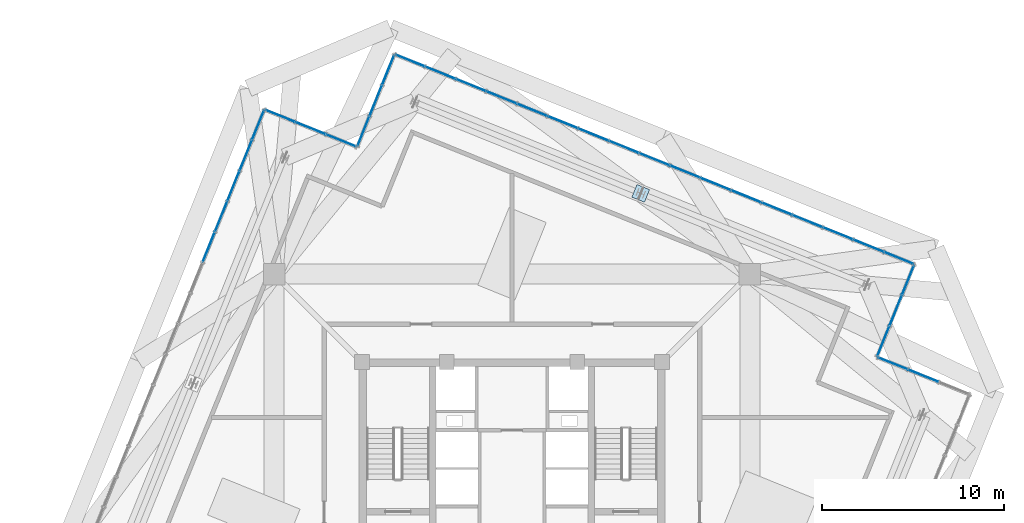
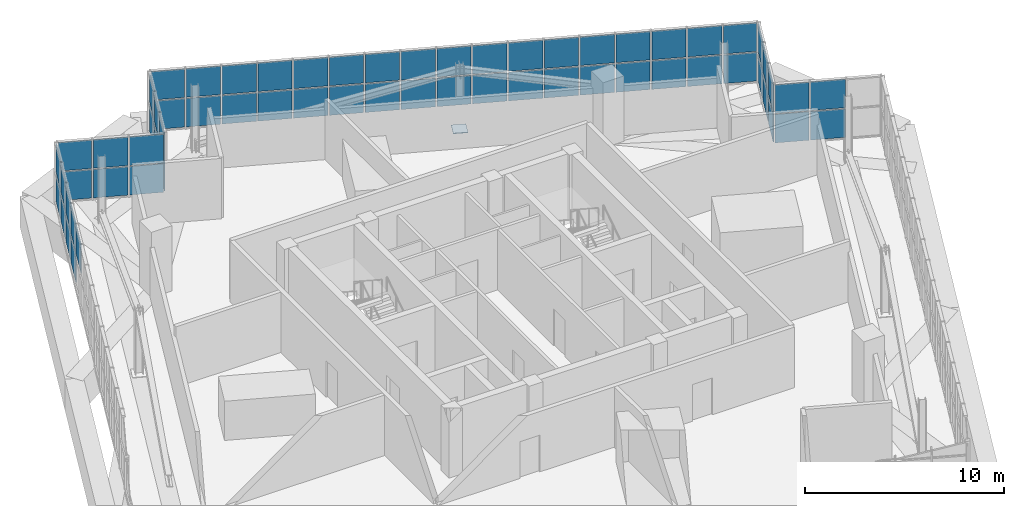
# One storey, part 29 of 35: 66 plates, 6 elements without a shape of their own.
"""IFC4 building model written with IfcOpenShell, lengths in metres."""

from ifc_helpers import new_model, si_unit, direction, frame, origin, origin_2d, place, context, subcontext, project, spatial, rectangle, extrude, source, transform, mapped, material, layer, layer_set, type_object, element, aggregate, save


model = new_model("IFC4")

# Units and contexts
model_context = context("Model", 3, precision=1e-05, world=origin(), true_north=direction((0.0, 1.0)))
body_context = subcontext(model_context, "Body", "Model", "MODEL_VIEW")
ifc_project = project(units=[si_unit("LENGTHUNIT", "METRE"), si_unit("AREAUNIT", "SQUARE_METRE"), si_unit("VOLUMEUNIT", "CUBIC_METRE"), si_unit("PLANEANGLEUNIT", "RADIAN"), si_unit("MASSUNIT", "GRAM", prefix="KILO"), si_unit("THERMODYNAMICTEMPERATUREUNIT", "KELVIN")], contexts=[model_context])

# Site, building, storey
site_placement = place(None, origin())
site = spatial("IfcSite", under=ifc_project, at=site_placement, CompositionType="ELEMENT")
building_placement = place(site_placement, origin())
building = spatial("IfcBuilding", under=site, at=building_placement, Name="Kosmvard Interchange Tower", CompositionType="ELEMENT")
storey_placement = place(building_placement, frame((0.0, 0.0, 321.60009765625)))
storey = spatial("IfcBuildingStorey", under=building, at=storey_placement, Name="L79", CompositionType="ELEMENT", Elevation=321.60009765625)

# Plate
ifc_material_1 = material(Name="Steel S355", Category="steel")
ifc_layer_1 = layer(ifc_material_1, 0.0380859375, Name="Steel S355")
ifc_layer_set_1 = layer_set([ifc_layer_1], Name="Steel S355")
plate_type_1 = type_object("IfcPlateType", Name="Lantern Base & Chord End Cap Stiffener 750x750x38 S355", PredefinedType="USERDEFINED", material=ifc_layer_set_1)
shared_shape_1 = source(origin(), body_context, "Body", "SweptSolid", [
    extrude(rectangle(XDim=0.75, YDim=0.75, at=origin_2d()), origin(), (0.0, 0.0, 1.0), 0.0380859375),
])
plate_1_placement = place(storey_placement, frame((7.080078125, 17.523681640625, -0.000244140625), z_axis=(0.0, 0.0, 1.0), x_axis=(0.374606593416, 0.927183854567, 0.0)))
element("IfcPlate", 1, at=plate_1_placement, inside=storey, type_object=plate_type_1, Name="Crown Lantern Leg Base Plate LL-E2", ObjectType="STIFFENER_PLATE", PredefinedType="USERDEFINED", context=body_context, shape_type="MappedRepresentation", body=[
    mapped(shared_shape_1, transform((0.0, 0.0, 0.0), scale=1.0)),
])

# Curtain wall, plates
ifc_material_2 = material(Name="Architectural anodised aluminium", Category="aluminium")
ifc_layer_2 = layer(ifc_material_2, 0.25, Name="Architectural anodised aluminium")
ifc_layer_set_2 = layer_set([ifc_layer_2], Name="Architectural anodised aluminium")
curtain_wall_type = type_object("IfcCurtainWallType", Name="CW-6 Illuminated Crown Lantern Curtain Wall", PredefinedType="NOTDEFINED", material=ifc_layer_set_2)
curtain_wall_1_placement = place(storey_placement, origin())
curtain_wall_1 = element("IfcCurtainWall", 2, at=curtain_wall_1_placement, inside=storey, type_object=curtain_wall_type, Name="L79 Crown Lantern Glazing Face 04", PredefinedType="NOTDEFINED")
ifc_material_3 = material(Name="Laminated acoustic lantern glazing", Category="glass")
ifc_layer_3 = layer(ifc_material_3, 0.035888671875, Name="Laminated acoustic lantern glazing")
ifc_layer_set_3 = layer_set([ifc_layer_3], Name="Laminated acoustic lantern glazing")
plate_type_2 = type_object("IfcPlateType", Name="Lantern Diffused Illuminated Panel 36", PredefinedType="CURTAIN_PANEL", material=ifc_layer_set_3)
shared_shape_2 = source(origin(), body_context, "Body", "SweptSolid", [
    extrude(rectangle(XDim=1.694091796875, YDim=0.035888671875, at=origin_2d()), origin(), (0.0, 0.0, 1.0), 1.7451171875),
])
plate_2_placement = place(storey_placement, frame((21.2744140625, 13.967529296875, 0.06982421875), z_axis=(0.0, 0.0, 1.0), x_axis=(-0.927183858065, 0.374606584758, 0.0)))
plate_2 = element("IfcPlate", 3, at=plate_2_placement, type_object=plate_type_2, Name="CW-6 panel 1.1", PredefinedType="CURTAIN_PANEL", context=body_context, shape_type="MappedRepresentation", body=[
    mapped(shared_shape_2, transform((0.0, 0.0, 0.0), scale=1.0)),
])
plate_3_placement = place(storey_placement, frame((21.2744140625, 13.967529296875, 1.884765625), z_axis=(0.0, 0.0, 1.0), x_axis=(-0.927183858065, 0.374606584758, 0.0)))
plate_3 = element("IfcPlate", 4, at=plate_3_placement, type_object=plate_type_2, Name="CW-6 panel 1.2", PredefinedType="CURTAIN_PANEL", context=body_context, shape_type="MappedRepresentation", body=[
    mapped(shared_shape_2, transform((0.0, 0.0, 0.0), scale=1.0)),
])
plate_4_placement = place(storey_placement, frame((-5.600830078125, 24.825927734375, 0.06982421875), z_axis=(0.0, 0.0, 1.0), x_axis=(-0.927183858065, 0.374606584758, 0.0)))
plate_4 = element("IfcPlate", 5, at=plate_4_placement, type_object=plate_type_2, Name="CW-6 panel 17.1", PredefinedType="CURTAIN_PANEL", context=body_context, shape_type="MappedRepresentation", body=[
    mapped(shared_shape_2, transform((0.0, 0.0, 0.0), scale=1.0)),
])
plate_5_placement = place(storey_placement, frame((-5.600830078125, 24.825927734375, 1.884765625), z_axis=(0.0, 0.0, 1.0), x_axis=(-0.927183858065, 0.374606584758, 0.0)))
plate_5 = element("IfcPlate", 6, at=plate_5_placement, type_object=plate_type_2, Name="CW-6 panel 17.2", PredefinedType="CURTAIN_PANEL", context=body_context, shape_type="MappedRepresentation", body=[
    mapped(shared_shape_2, transform((0.0, 0.0, 0.0), scale=1.0)),
])

curtain_wall_2_placement = place(storey_placement, origin())
curtain_wall_2 = element("IfcCurtainWall", 7, at=curtain_wall_2_placement, inside=storey, type_object=curtain_wall_type, Name="L79 Crown Lantern Glazing Face 07", PredefinedType="NOTDEFINED")
plate_6_placement = place(storey_placement, frame((-13.967529296875, 21.2744140625, 0.06982421875), z_axis=(0.0, 0.0, 1.0), x_axis=(-0.374606584758, -0.927183858065, 0.0)))
plate_6 = element("IfcPlate", 8, at=plate_6_placement, type_object=plate_type_2, Name="CW-6 panel 1.1", PredefinedType="CURTAIN_PANEL", context=body_context, shape_type="MappedRepresentation", body=[
    mapped(shared_shape_2, transform((0.0, 0.0, 0.0), scale=1.0)),
])
plate_7_placement = place(storey_placement, frame((-13.967529296875, 21.2744140625, 1.884765625), z_axis=(0.0, 0.0, 1.0), x_axis=(-0.374606584758, -0.927183858065, 0.0)))
plate_7 = element("IfcPlate", 9, at=plate_7_placement, type_object=plate_type_2, Name="CW-6 panel 1.2", PredefinedType="CURTAIN_PANEL", context=body_context, shape_type="MappedRepresentation", body=[
    mapped(shared_shape_2, transform((0.0, 0.0, 0.0), scale=1.0)),
])

# Plate
shared_shape_3 = source(origin(), body_context, "Body", "SweptSolid", [
    extrude(rectangle(XDim=1.734130859375, YDim=0.035888671875, at=origin_2d()), origin(), (0.0, 0.0, 1.0), 1.7451171875),
])
plate_8_placement = place(storey_placement, frame((19.61083984375, 14.6396484375, 0.06982421875), z_axis=(0.0, 0.0, 1.0), x_axis=(-0.927183858065, 0.374606584758, 0.0)))
plate_8 = element("IfcPlate", 10, at=plate_8_placement, type_object=plate_type_2, Name="CW-6 panel 2.1", PredefinedType="CURTAIN_PANEL", context=body_context, shape_type="MappedRepresentation", body=[
    mapped(shared_shape_3, transform((0.0, 0.0, 0.0), scale=1.0)),
])

plate_9_placement = place(storey_placement, frame((19.61083984375, 14.6396484375, 1.884765625), z_axis=(0.0, 0.0, 1.0), x_axis=(-0.927183858065, 0.374606584758, 0.0)))
plate_9 = element("IfcPlate", 11, at=plate_9_placement, type_object=plate_type_2, Name="CW-6 panel 2.2", PredefinedType="CURTAIN_PANEL", context=body_context, shape_type="MappedRepresentation", body=[
    mapped(shared_shape_3, transform((0.0, 0.0, 0.0), scale=1.0)),
])

plate_10_placement = place(storey_placement, frame((17.928955078125, 15.319091796875, 0.06982421875), z_axis=(0.0, 0.0, 1.0), x_axis=(-0.927183858065, 0.374606584758, 0.0)))
plate_10 = element("IfcPlate", 12, at=plate_10_placement, type_object=plate_type_2, Name="CW-6 panel 3.1", PredefinedType="CURTAIN_PANEL", context=body_context, shape_type="MappedRepresentation", body=[
    mapped(shared_shape_3, transform((0.0, 0.0, 0.0), scale=1.0)),
])

plate_11_placement = place(storey_placement, frame((17.928955078125, 15.319091796875, 1.884765625), z_axis=(0.0, 0.0, 1.0), x_axis=(-0.927183858065, 0.374606584758, 0.0)))
plate_11 = element("IfcPlate", 13, at=plate_11_placement, type_object=plate_type_2, Name="CW-6 panel 3.2", PredefinedType="CURTAIN_PANEL", context=body_context, shape_type="MappedRepresentation", body=[
    mapped(shared_shape_3, transform((0.0, 0.0, 0.0), scale=1.0)),
])

plate_12_placement = place(storey_placement, frame((16.246826171875, 15.998779296875, 0.06982421875), z_axis=(0.0, 0.0, 1.0), x_axis=(-0.927183858065, 0.374606584758, 0.0)))
plate_12 = element("IfcPlate", 14, at=plate_12_placement, type_object=plate_type_2, Name="CW-6 panel 4.1", PredefinedType="CURTAIN_PANEL", context=body_context, shape_type="MappedRepresentation", body=[
    mapped(shared_shape_3, transform((0.0, 0.0, 0.0), scale=1.0)),
])

plate_13_placement = place(storey_placement, frame((16.246826171875, 15.998779296875, 1.884765625), z_axis=(0.0, 0.0, 1.0), x_axis=(-0.927183858065, 0.374606584758, 0.0)))
plate_13 = element("IfcPlate", 15, at=plate_13_placement, type_object=plate_type_2, Name="CW-6 panel 4.2", PredefinedType="CURTAIN_PANEL", context=body_context, shape_type="MappedRepresentation", body=[
    mapped(shared_shape_3, transform((0.0, 0.0, 0.0), scale=1.0)),
])

plate_14_placement = place(storey_placement, frame((14.56494140625, 16.678466796875, 0.06982421875), z_axis=(0.0, 0.0, 1.0), x_axis=(-0.927183858065, 0.374606584758, 0.0)))
plate_14 = element("IfcPlate", 16, at=plate_14_placement, type_object=plate_type_2, Name="CW-6 panel 5.1", PredefinedType="CURTAIN_PANEL", context=body_context, shape_type="MappedRepresentation", body=[
    mapped(shared_shape_3, transform((0.0, 0.0, 0.0), scale=1.0)),
])

plate_15_placement = place(storey_placement, frame((14.56494140625, 16.678466796875, 1.884765625), z_axis=(0.0, 0.0, 1.0), x_axis=(-0.927183858065, 0.374606584758, 0.0)))
plate_15 = element("IfcPlate", 17, at=plate_15_placement, type_object=plate_type_2, Name="CW-6 panel 5.2", PredefinedType="CURTAIN_PANEL", context=body_context, shape_type="MappedRepresentation", body=[
    mapped(shared_shape_3, transform((0.0, 0.0, 0.0), scale=1.0)),
])

plate_16_placement = place(storey_placement, frame((12.8828125, 17.35791015625, 0.06982421875), z_axis=(0.0, 0.0, 1.0), x_axis=(-0.927183858065, 0.374606584758, 0.0)))
plate_16 = element("IfcPlate", 18, at=plate_16_placement, type_object=plate_type_2, Name="CW-6 panel 6.1", PredefinedType="CURTAIN_PANEL", context=body_context, shape_type="MappedRepresentation", body=[
    mapped(shared_shape_3, transform((0.0, 0.0, 0.0), scale=1.0)),
])

plate_17_placement = place(storey_placement, frame((12.8828125, 17.35791015625, 1.884765625), z_axis=(0.0, 0.0, 1.0), x_axis=(-0.927183858065, 0.374606584758, 0.0)))
plate_17 = element("IfcPlate", 19, at=plate_17_placement, type_object=plate_type_2, Name="CW-6 panel 6.2", PredefinedType="CURTAIN_PANEL", context=body_context, shape_type="MappedRepresentation", body=[
    mapped(shared_shape_3, transform((0.0, 0.0, 0.0), scale=1.0)),
])

plate_18_placement = place(storey_placement, frame((11.200927734375, 18.03759765625, 0.06982421875), z_axis=(0.0, 0.0, 1.0), x_axis=(-0.927183858065, 0.374606584758, 0.0)))
plate_18 = element("IfcPlate", 20, at=plate_18_placement, type_object=plate_type_2, Name="CW-6 panel 7.1", PredefinedType="CURTAIN_PANEL", context=body_context, shape_type="MappedRepresentation", body=[
    mapped(shared_shape_3, transform((0.0, 0.0, 0.0), scale=1.0)),
])

plate_19_placement = place(storey_placement, frame((11.200927734375, 18.03759765625, 1.884765625), z_axis=(0.0, 0.0, 1.0), x_axis=(-0.927183858065, 0.374606584758, 0.0)))
plate_19 = element("IfcPlate", 21, at=plate_19_placement, type_object=plate_type_2, Name="CW-6 panel 7.2", PredefinedType="CURTAIN_PANEL", context=body_context, shape_type="MappedRepresentation", body=[
    mapped(shared_shape_3, transform((0.0, 0.0, 0.0), scale=1.0)),
])

plate_20_placement = place(storey_placement, frame((9.518798828125, 18.717041015625, 0.06982421875), z_axis=(0.0, 0.0, 1.0), x_axis=(-0.927183858065, 0.374606584758, 0.0)))
plate_20 = element("IfcPlate", 22, at=plate_20_placement, type_object=plate_type_2, Name="CW-6 panel 8.1", PredefinedType="CURTAIN_PANEL", context=body_context, shape_type="MappedRepresentation", body=[
    mapped(shared_shape_3, transform((0.0, 0.0, 0.0), scale=1.0)),
])

plate_21_placement = place(storey_placement, frame((9.518798828125, 18.717041015625, 1.884765625), z_axis=(0.0, 0.0, 1.0), x_axis=(-0.927183858065, 0.374606584758, 0.0)))
plate_21 = element("IfcPlate", 23, at=plate_21_placement, type_object=plate_type_2, Name="CW-6 panel 8.2", PredefinedType="CURTAIN_PANEL", context=body_context, shape_type="MappedRepresentation", body=[
    mapped(shared_shape_3, transform((0.0, 0.0, 0.0), scale=1.0)),
])

plate_22_placement = place(storey_placement, frame((7.836669921875, 19.396728515625, 0.06982421875), z_axis=(0.0, 0.0, 1.0), x_axis=(-0.927183858065, 0.374606584758, 0.0)))
plate_22 = element("IfcPlate", 24, at=plate_22_placement, type_object=plate_type_2, Name="CW-6 panel 9.1", PredefinedType="CURTAIN_PANEL", context=body_context, shape_type="MappedRepresentation", body=[
    mapped(shared_shape_3, transform((0.0, 0.0, 0.0), scale=1.0)),
])

plate_23_placement = place(storey_placement, frame((7.836669921875, 19.396728515625, 1.884765625), z_axis=(0.0, 0.0, 1.0), x_axis=(-0.927183858065, 0.374606584758, 0.0)))
plate_23 = element("IfcPlate", 25, at=plate_23_placement, type_object=plate_type_2, Name="CW-6 panel 9.2", PredefinedType="CURTAIN_PANEL", context=body_context, shape_type="MappedRepresentation", body=[
    mapped(shared_shape_3, transform((0.0, 0.0, 0.0), scale=1.0)),
])

plate_24_placement = place(storey_placement, frame((6.15478515625, 20.076171875, 0.06982421875), z_axis=(0.0, 0.0, 1.0), x_axis=(-0.927183858065, 0.374606584758, 0.0)))
plate_24 = element("IfcPlate", 26, at=plate_24_placement, type_object=plate_type_2, Name="CW-6 panel 10.1", PredefinedType="CURTAIN_PANEL", context=body_context, shape_type="MappedRepresentation", body=[
    mapped(shared_shape_3, transform((0.0, 0.0, 0.0), scale=1.0)),
])

plate_25_placement = place(storey_placement, frame((6.15478515625, 20.076171875, 1.884765625), z_axis=(0.0, 0.0, 1.0), x_axis=(-0.927183858065, 0.374606584758, 0.0)))
plate_25 = element("IfcPlate", 27, at=plate_25_placement, type_object=plate_type_2, Name="CW-6 panel 10.2", PredefinedType="CURTAIN_PANEL", context=body_context, shape_type="MappedRepresentation", body=[
    mapped(shared_shape_3, transform((0.0, 0.0, 0.0), scale=1.0)),
])

plate_26_placement = place(storey_placement, frame((4.47265625, 20.755859375, 0.06982421875), z_axis=(0.0, 0.0, 1.0), x_axis=(-0.927183858065, 0.374606584758, 0.0)))
plate_26 = element("IfcPlate", 28, at=plate_26_placement, type_object=plate_type_2, Name="CW-6 panel 11.1", PredefinedType="CURTAIN_PANEL", context=body_context, shape_type="MappedRepresentation", body=[
    mapped(shared_shape_3, transform((0.0, 0.0, 0.0), scale=1.0)),
])

plate_27_placement = place(storey_placement, frame((4.47265625, 20.755859375, 1.884765625), z_axis=(0.0, 0.0, 1.0), x_axis=(-0.927183858065, 0.374606584758, 0.0)))
plate_27 = element("IfcPlate", 29, at=plate_27_placement, type_object=plate_type_2, Name="CW-6 panel 11.2", PredefinedType="CURTAIN_PANEL", context=body_context, shape_type="MappedRepresentation", body=[
    mapped(shared_shape_3, transform((0.0, 0.0, 0.0), scale=1.0)),
])

plate_28_placement = place(storey_placement, frame((2.790771484375, 21.435546875, 0.06982421875), z_axis=(0.0, 0.0, 1.0), x_axis=(-0.927183858065, 0.374606584758, 0.0)))
plate_28 = element("IfcPlate", 30, at=plate_28_placement, type_object=plate_type_2, Name="CW-6 panel 12.1", PredefinedType="CURTAIN_PANEL", context=body_context, shape_type="MappedRepresentation", body=[
    mapped(shared_shape_3, transform((0.0, 0.0, 0.0), scale=1.0)),
])

plate_29_placement = place(storey_placement, frame((2.790771484375, 21.435546875, 1.884765625), z_axis=(0.0, 0.0, 1.0), x_axis=(-0.927183858065, 0.374606584758, 0.0)))
plate_29 = element("IfcPlate", 31, at=plate_29_placement, type_object=plate_type_2, Name="CW-6 panel 12.2", PredefinedType="CURTAIN_PANEL", context=body_context, shape_type="MappedRepresentation", body=[
    mapped(shared_shape_3, transform((0.0, 0.0, 0.0), scale=1.0)),
])

plate_30_placement = place(storey_placement, frame((1.108642578125, 22.114990234375, 0.06982421875), z_axis=(0.0, 0.0, 1.0), x_axis=(-0.927183858065, 0.374606584758, 0.0)))
plate_30 = element("IfcPlate", 32, at=plate_30_placement, type_object=plate_type_2, Name="CW-6 panel 13.1", PredefinedType="CURTAIN_PANEL", context=body_context, shape_type="MappedRepresentation", body=[
    mapped(shared_shape_3, transform((0.0, 0.0, 0.0), scale=1.0)),
])

plate_31_placement = place(storey_placement, frame((1.108642578125, 22.114990234375, 1.884765625), z_axis=(0.0, 0.0, 1.0), x_axis=(-0.927183858065, 0.374606584758, 0.0)))
plate_31 = element("IfcPlate", 33, at=plate_31_placement, type_object=plate_type_2, Name="CW-6 panel 13.2", PredefinedType="CURTAIN_PANEL", context=body_context, shape_type="MappedRepresentation", body=[
    mapped(shared_shape_3, transform((0.0, 0.0, 0.0), scale=1.0)),
])

plate_32_placement = place(storey_placement, frame((-0.5732421875, 22.794677734375, 0.06982421875), z_axis=(0.0, 0.0, 1.0), x_axis=(-0.927183858065, 0.374606584758, 0.0)))
plate_32 = element("IfcPlate", 34, at=plate_32_placement, type_object=plate_type_2, Name="CW-6 panel 14.1", PredefinedType="CURTAIN_PANEL", context=body_context, shape_type="MappedRepresentation", body=[
    mapped(shared_shape_3, transform((0.0, 0.0, 0.0), scale=1.0)),
])

plate_33_placement = place(storey_placement, frame((-0.5732421875, 22.794677734375, 1.884765625), z_axis=(0.0, 0.0, 1.0), x_axis=(-0.927183858065, 0.374606584758, 0.0)))
plate_33 = element("IfcPlate", 35, at=plate_33_placement, type_object=plate_type_2, Name="CW-6 panel 14.2", PredefinedType="CURTAIN_PANEL", context=body_context, shape_type="MappedRepresentation", body=[
    mapped(shared_shape_3, transform((0.0, 0.0, 0.0), scale=1.0)),
])

plate_34_placement = place(storey_placement, frame((-2.25537109375, 23.47412109375, 0.06982421875), z_axis=(0.0, 0.0, 1.0), x_axis=(-0.927183858065, 0.374606584758, 0.0)))
plate_34 = element("IfcPlate", 36, at=plate_34_placement, type_object=plate_type_2, Name="CW-6 panel 15.1", PredefinedType="CURTAIN_PANEL", context=body_context, shape_type="MappedRepresentation", body=[
    mapped(shared_shape_3, transform((0.0, 0.0, 0.0), scale=1.0)),
])

plate_35_placement = place(storey_placement, frame((-2.25537109375, 23.47412109375, 1.884765625), z_axis=(0.0, 0.0, 1.0), x_axis=(-0.927183858065, 0.374606584758, 0.0)))
plate_35 = element("IfcPlate", 37, at=plate_35_placement, type_object=plate_type_2, Name="CW-6 panel 15.2", PredefinedType="CURTAIN_PANEL", context=body_context, shape_type="MappedRepresentation", body=[
    mapped(shared_shape_3, transform((0.0, 0.0, 0.0), scale=1.0)),
])

plate_36_placement = place(storey_placement, frame((-3.937255859375, 24.15380859375, 0.06982421875), z_axis=(0.0, 0.0, 1.0), x_axis=(-0.927183858065, 0.374606584758, 0.0)))
plate_36 = element("IfcPlate", 38, at=plate_36_placement, type_object=plate_type_2, Name="CW-6 panel 16.1", PredefinedType="CURTAIN_PANEL", context=body_context, shape_type="MappedRepresentation", body=[
    mapped(shared_shape_3, transform((0.0, 0.0, 0.0), scale=1.0)),
])

plate_37_placement = place(storey_placement, frame((-3.937255859375, 24.15380859375, 1.884765625), z_axis=(0.0, 0.0, 1.0), x_axis=(-0.927183858065, 0.374606584758, 0.0)))
plate_37 = element("IfcPlate", 39, at=plate_37_placement, type_object=plate_type_2, Name="CW-6 panel 16.2", PredefinedType="CURTAIN_PANEL", context=body_context, shape_type="MappedRepresentation", body=[
    mapped(shared_shape_3, transform((0.0, 0.0, 0.0), scale=1.0)),
])

aggregate(curtain_wall_1, [plate_2, plate_3, plate_8, plate_9, plate_10, plate_11, plate_12, plate_13, plate_14, plate_15, plate_16, plate_17, plate_18, plate_19, plate_20, plate_21, plate_22, plate_23, plate_24, plate_25, plate_26, plate_27, plate_28, plate_29, plate_30, plate_31, plate_32, plate_33, plate_34, plate_35, plate_36, plate_37, plate_4, plate_5])

plate_38_placement = place(storey_placement, frame((-14.6396484375, 19.61083984375, 0.06982421875), z_axis=(0.0, 0.0, 1.0), x_axis=(-0.374606584758, -0.927183858065, 0.0)))
plate_38 = element("IfcPlate", 40, at=plate_38_placement, type_object=plate_type_2, Name="CW-6 panel 2.1", PredefinedType="CURTAIN_PANEL", context=body_context, shape_type="MappedRepresentation", body=[
    mapped(shared_shape_3, transform((0.0, 0.0, 0.0), scale=1.0)),
])

plate_39_placement = place(storey_placement, frame((-14.6396484375, 19.61083984375, 1.884765625), z_axis=(0.0, 0.0, 1.0), x_axis=(-0.374606584758, -0.927183858065, 0.0)))
plate_39 = element("IfcPlate", 41, at=plate_39_placement, type_object=plate_type_2, Name="CW-6 panel 2.2", PredefinedType="CURTAIN_PANEL", context=body_context, shape_type="MappedRepresentation", body=[
    mapped(shared_shape_3, transform((0.0, 0.0, 0.0), scale=1.0)),
])

plate_40_placement = place(storey_placement, frame((-15.319091796875, 17.928955078125, 0.06982421875), z_axis=(0.0, 0.0, 1.0), x_axis=(-0.374606584758, -0.927183858065, 0.0)))
plate_40 = element("IfcPlate", 42, at=plate_40_placement, type_object=plate_type_2, Name="CW-6 panel 3.1", PredefinedType="CURTAIN_PANEL", context=body_context, shape_type="MappedRepresentation", body=[
    mapped(shared_shape_3, transform((0.0, 0.0, 0.0), scale=1.0)),
])

plate_41_placement = place(storey_placement, frame((-15.319091796875, 17.928955078125, 1.884765625), z_axis=(0.0, 0.0, 1.0), x_axis=(-0.374606584758, -0.927183858065, 0.0)))
plate_41 = element("IfcPlate", 43, at=plate_41_placement, type_object=plate_type_2, Name="CW-6 panel 3.2", PredefinedType="CURTAIN_PANEL", context=body_context, shape_type="MappedRepresentation", body=[
    mapped(shared_shape_3, transform((0.0, 0.0, 0.0), scale=1.0)),
])

plate_42_placement = place(storey_placement, frame((-15.998779296875, 16.246826171875, 0.06982421875), z_axis=(0.0, 0.0, 1.0), x_axis=(-0.374606584758, -0.927183858065, 0.0)))
plate_42 = element("IfcPlate", 44, at=plate_42_placement, type_object=plate_type_2, Name="CW-6 panel 4.1", PredefinedType="CURTAIN_PANEL", context=body_context, shape_type="MappedRepresentation", body=[
    mapped(shared_shape_3, transform((0.0, 0.0, 0.0), scale=1.0)),
])

plate_43_placement = place(storey_placement, frame((-15.998779296875, 16.246826171875, 1.884765625), z_axis=(0.0, 0.0, 1.0), x_axis=(-0.374606584758, -0.927183858065, 0.0)))
plate_43 = element("IfcPlate", 45, at=plate_43_placement, type_object=plate_type_2, Name="CW-6 panel 4.2", PredefinedType="CURTAIN_PANEL", context=body_context, shape_type="MappedRepresentation", body=[
    mapped(shared_shape_3, transform((0.0, 0.0, 0.0), scale=1.0)),
])

plate_44_placement = place(storey_placement, frame((-16.678466796875, 14.56494140625, 1.884765625), z_axis=(0.0, 0.0, 1.0), x_axis=(-0.374606584758, -0.927183858065, 0.0)))
plate_44 = element("IfcPlate", 46, at=plate_44_placement, type_object=plate_type_2, Name="CW-6 panel 5.2", PredefinedType="CURTAIN_PANEL", context=body_context, shape_type="MappedRepresentation", body=[
    mapped(shared_shape_3, transform((0.0, 0.0, 0.0), scale=1.0)),
])

aggregate(curtain_wall_2, [plate_6, plate_7, plate_38, plate_39, plate_40, plate_41, plate_42, plate_43, plate_44])

# Curtain wall, plates
curtain_wall_3_placement = place(storey_placement, origin())
curtain_wall_3 = element("IfcCurtainWall", 47, at=curtain_wall_3_placement, inside=storey, type_object=curtain_wall_type, Name="L79 Crown Lantern Glazing Face 02", PredefinedType="NOTDEFINED")
shared_shape_4 = source(origin(), body_context, "Body", "SweptSolid", [
    extrude(rectangle(XDim=1.71337890625, YDim=0.035888671875, at=origin_2d()), origin(), (0.0, 0.0, 1.0), 1.7451171875),
])
plate_45_placement = place(storey_placement, frame((20.942138671875, 8.169921875, 0.06982421875), z_axis=(0.0, 0.0, 1.0), x_axis=(-0.92718386612, 0.374606564822, 0.0)))
plate_45 = element("IfcPlate", 48, at=plate_45_placement, type_object=plate_type_2, Name="CW-6 panel 3.1", PredefinedType="CURTAIN_PANEL", context=body_context, shape_type="MappedRepresentation", body=[
    mapped(shared_shape_4, transform((0.0, 0.0, 0.0), scale=1.0)),
])
plate_46_placement = place(storey_placement, frame((20.942138671875, 8.169921875, 1.884765625), z_axis=(0.0, 0.0, 1.0), x_axis=(-0.92718386612, 0.374606564822, 0.0)))
plate_46 = element("IfcPlate", 49, at=plate_46_placement, type_object=plate_type_2, Name="CW-6 panel 3.2", PredefinedType="CURTAIN_PANEL", context=body_context, shape_type="MappedRepresentation", body=[
    mapped(shared_shape_4, transform((0.0, 0.0, 0.0), scale=1.0)),
])

curtain_wall_4_placement = place(storey_placement, origin())
curtain_wall_4 = element("IfcCurtainWall", 50, at=curtain_wall_4_placement, inside=storey, type_object=curtain_wall_type, Name="L79 Crown Lantern Glazing Face 03", PredefinedType="NOTDEFINED")
plate_47_placement = place(storey_placement, frame((20.424560546875, 9.38916015625, 0.06982421875), z_axis=(0.0, 0.0, 1.0), x_axis=(0.374606501678, 0.927183891631, 0.0)))
plate_47 = element("IfcPlate", 51, at=plate_47_placement, type_object=plate_type_2, Name="CW-6 panel 1.1", PredefinedType="CURTAIN_PANEL", context=body_context, shape_type="MappedRepresentation", body=[
    mapped(shared_shape_4, transform((0.0, 0.0, 0.0), scale=1.0)),
])
plate_48_placement = place(storey_placement, frame((20.424560546875, 9.38916015625, 1.884765625), z_axis=(0.0, 0.0, 1.0), x_axis=(0.374606501678, 0.927183891631, 0.0)))
plate_48 = element("IfcPlate", 52, at=plate_48_placement, type_object=plate_type_2, Name="CW-6 panel 1.2", PredefinedType="CURTAIN_PANEL", context=body_context, shape_type="MappedRepresentation", body=[
    mapped(shared_shape_4, transform((0.0, 0.0, 0.0), scale=1.0)),
])
plate_49_placement = place(storey_placement, frame((21.782958984375, 12.751708984375, 0.06982421875), z_axis=(0.0, 0.0, 1.0), x_axis=(0.374606501678, 0.927183891631, 0.0)))
plate_49 = element("IfcPlate", 53, at=plate_49_placement, type_object=plate_type_2, Name="CW-6 panel 3.1", PredefinedType="CURTAIN_PANEL", context=body_context, shape_type="MappedRepresentation", body=[
    mapped(shared_shape_4, transform((0.0, 0.0, 0.0), scale=1.0)),
])
plate_50_placement = place(storey_placement, frame((21.782958984375, 12.751708984375, 1.884765625), z_axis=(0.0, 0.0, 1.0), x_axis=(0.374606501678, 0.927183891631, 0.0)))
plate_50 = element("IfcPlate", 54, at=plate_50_placement, type_object=plate_type_2, Name="CW-6 panel 3.2", PredefinedType="CURTAIN_PANEL", context=body_context, shape_type="MappedRepresentation", body=[
    mapped(shared_shape_4, transform((0.0, 0.0, 0.0), scale=1.0)),
])

curtain_wall_5_placement = place(storey_placement, origin())
curtain_wall_5 = element("IfcCurtainWall", 55, at=curtain_wall_5_placement, inside=storey, type_object=curtain_wall_type, Name="L79 Crown Lantern Glazing Face 05", PredefinedType="NOTDEFINED")
plate_51_placement = place(storey_placement, frame((-6.811279296875, 24.3046875, 0.06982421875), z_axis=(0.0, 0.0, 1.0), x_axis=(-0.374606564822, -0.92718386612, 0.0)))
plate_51 = element("IfcPlate", 56, at=plate_51_placement, type_object=plate_type_2, Name="CW-6 panel 1.1", PredefinedType="CURTAIN_PANEL", context=body_context, shape_type="MappedRepresentation", body=[
    mapped(shared_shape_4, transform((0.0, 0.0, 0.0), scale=1.0)),
])
plate_52_placement = place(storey_placement, frame((-6.811279296875, 24.3046875, 1.884765625), z_axis=(0.0, 0.0, 1.0), x_axis=(-0.374606564822, -0.92718386612, 0.0)))
plate_52 = element("IfcPlate", 57, at=plate_52_placement, type_object=plate_type_2, Name="CW-6 panel 1.2", PredefinedType="CURTAIN_PANEL", context=body_context, shape_type="MappedRepresentation", body=[
    mapped(shared_shape_4, transform((0.0, 0.0, 0.0), scale=1.0)),
])
plate_53_placement = place(storey_placement, frame((-8.169921875, 20.942138671875, 0.06982421875), z_axis=(0.0, 0.0, 1.0), x_axis=(-0.374606564822, -0.92718386612, 0.0)))
plate_53 = element("IfcPlate", 58, at=plate_53_placement, type_object=plate_type_2, Name="CW-6 panel 3.1", PredefinedType="CURTAIN_PANEL", context=body_context, shape_type="MappedRepresentation", body=[
    mapped(shared_shape_4, transform((0.0, 0.0, 0.0), scale=1.0)),
])
plate_54_placement = place(storey_placement, frame((-8.169921875, 20.942138671875, 1.884765625), z_axis=(0.0, 0.0, 1.0), x_axis=(-0.374606564822, -0.92718386612, 0.0)))
plate_54 = element("IfcPlate", 59, at=plate_54_placement, type_object=plate_type_2, Name="CW-6 panel 3.2", PredefinedType="CURTAIN_PANEL", context=body_context, shape_type="MappedRepresentation", body=[
    mapped(shared_shape_4, transform((0.0, 0.0, 0.0), scale=1.0)),
])

curtain_wall_6_placement = place(storey_placement, origin())
curtain_wall_6 = element("IfcCurtainWall", 60, at=curtain_wall_6_placement, inside=storey, type_object=curtain_wall_type, Name="L79 Crown Lantern Glazing Face 06", PredefinedType="NOTDEFINED")
plate_55_placement = place(storey_placement, frame((-9.38916015625, 20.424560546875, 0.06982421875), z_axis=(0.0, 0.0, 1.0), x_axis=(-0.927183891631, 0.374606501678, 0.0)))
plate_55 = element("IfcPlate", 61, at=plate_55_placement, type_object=plate_type_2, Name="CW-6 panel 1.1", PredefinedType="CURTAIN_PANEL", context=body_context, shape_type="MappedRepresentation", body=[
    mapped(shared_shape_4, transform((0.0, 0.0, 0.0), scale=1.0)),
])
plate_56_placement = place(storey_placement, frame((-9.38916015625, 20.424560546875, 1.884765625), z_axis=(0.0, 0.0, 1.0), x_axis=(-0.927183891631, 0.374606501678, 0.0)))
plate_56 = element("IfcPlate", 62, at=plate_56_placement, type_object=plate_type_2, Name="CW-6 panel 1.2", PredefinedType="CURTAIN_PANEL", context=body_context, shape_type="MappedRepresentation", body=[
    mapped(shared_shape_4, transform((0.0, 0.0, 0.0), scale=1.0)),
])
plate_57_placement = place(storey_placement, frame((-12.751708984375, 21.782958984375, 0.06982421875), z_axis=(0.0, 0.0, 1.0), x_axis=(-0.927183891631, 0.374606501678, 0.0)))
plate_57 = element("IfcPlate", 63, at=plate_57_placement, type_object=plate_type_2, Name="CW-6 panel 3.1", PredefinedType="CURTAIN_PANEL", context=body_context, shape_type="MappedRepresentation", body=[
    mapped(shared_shape_4, transform((0.0, 0.0, 0.0), scale=1.0)),
])
plate_58_placement = place(storey_placement, frame((-12.751708984375, 21.782958984375, 1.884765625), z_axis=(0.0, 0.0, 1.0), x_axis=(-0.927183891631, 0.374606501678, 0.0)))
plate_58 = element("IfcPlate", 64, at=plate_58_placement, type_object=plate_type_2, Name="CW-6 panel 3.2", PredefinedType="CURTAIN_PANEL", context=body_context, shape_type="MappedRepresentation", body=[
    mapped(shared_shape_4, transform((0.0, 0.0, 0.0), scale=1.0)),
])

# Plate
shared_shape_5 = source(origin(), body_context, "Body", "SweptSolid", [
    extrude(rectangle(XDim=1.75341796875, YDim=0.035888671875, at=origin_2d()), origin(), (0.0, 0.0, 1.0), 1.7451171875),
])
plate_59_placement = place(storey_placement, frame((22.623291015625, 7.490478515625, 0.06982421875), z_axis=(0.0, 0.0, 1.0), x_axis=(-0.92718386612, 0.374606564822, 0.0)))
plate_59 = element("IfcPlate", 65, at=plate_59_placement, type_object=plate_type_2, Name="CW-6 panel 2.1", PredefinedType="CURTAIN_PANEL", context=body_context, shape_type="MappedRepresentation", body=[
    mapped(shared_shape_5, transform((0.0, 0.0, 0.0), scale=1.0)),
])

plate_60_placement = place(storey_placement, frame((22.623291015625, 7.490478515625, 1.884765625), z_axis=(0.0, 0.0, 1.0), x_axis=(-0.92718386612, 0.374606564822, 0.0)))
plate_60 = element("IfcPlate", 66, at=plate_60_placement, type_object=plate_type_2, Name="CW-6 panel 2.2", PredefinedType="CURTAIN_PANEL", context=body_context, shape_type="MappedRepresentation", body=[
    mapped(shared_shape_5, transform((0.0, 0.0, 0.0), scale=1.0)),
])

aggregate(curtain_wall_3, [plate_59, plate_60, plate_45, plate_46])

plate_61_placement = place(storey_placement, frame((21.103759765625, 11.070556640625, 0.06982421875), z_axis=(0.0, 0.0, 1.0), x_axis=(0.374606501678, 0.927183891631, 0.0)))
plate_61 = element("IfcPlate", 67, at=plate_61_placement, type_object=plate_type_2, Name="CW-6 panel 2.1", PredefinedType="CURTAIN_PANEL", context=body_context, shape_type="MappedRepresentation", body=[
    mapped(shared_shape_5, transform((0.0, 0.0, 0.0), scale=1.0)),
])

plate_62_placement = place(storey_placement, frame((21.103759765625, 11.070556640625, 1.884765625), z_axis=(0.0, 0.0, 1.0), x_axis=(0.374606501678, 0.927183891631, 0.0)))
plate_62 = element("IfcPlate", 68, at=plate_62_placement, type_object=plate_type_2, Name="CW-6 panel 2.2", PredefinedType="CURTAIN_PANEL", context=body_context, shape_type="MappedRepresentation", body=[
    mapped(shared_shape_5, transform((0.0, 0.0, 0.0), scale=1.0)),
])

aggregate(curtain_wall_4, [plate_47, plate_48, plate_61, plate_62, plate_49, plate_50])

plate_63_placement = place(storey_placement, frame((-7.490478515625, 22.623291015625, 0.06982421875), z_axis=(0.0, 0.0, 1.0), x_axis=(-0.374606564822, -0.92718386612, 0.0)))
plate_63 = element("IfcPlate", 69, at=plate_63_placement, type_object=plate_type_2, Name="CW-6 panel 2.1", PredefinedType="CURTAIN_PANEL", context=body_context, shape_type="MappedRepresentation", body=[
    mapped(shared_shape_5, transform((0.0, 0.0, 0.0), scale=1.0)),
])

plate_64_placement = place(storey_placement, frame((-7.490478515625, 22.623291015625, 1.884765625), z_axis=(0.0, 0.0, 1.0), x_axis=(-0.374606564822, -0.92718386612, 0.0)))
plate_64 = element("IfcPlate", 70, at=plate_64_placement, type_object=plate_type_2, Name="CW-6 panel 2.2", PredefinedType="CURTAIN_PANEL", context=body_context, shape_type="MappedRepresentation", body=[
    mapped(shared_shape_5, transform((0.0, 0.0, 0.0), scale=1.0)),
])

aggregate(curtain_wall_5, [plate_51, plate_52, plate_63, plate_64, plate_53, plate_54])

plate_65_placement = place(storey_placement, frame((-11.070556640625, 21.103759765625, 0.06982421875), z_axis=(0.0, 0.0, 1.0), x_axis=(-0.927183891631, 0.374606501678, 0.0)))
plate_65 = element("IfcPlate", 71, at=plate_65_placement, type_object=plate_type_2, Name="CW-6 panel 2.1", PredefinedType="CURTAIN_PANEL", context=body_context, shape_type="MappedRepresentation", body=[
    mapped(shared_shape_5, transform((0.0, 0.0, 0.0), scale=1.0)),
])

plate_66_placement = place(storey_placement, frame((-11.070556640625, 21.103759765625, 1.884765625), z_axis=(0.0, 0.0, 1.0), x_axis=(-0.927183891631, 0.374606501678, 0.0)))
plate_66 = element("IfcPlate", 72, at=plate_66_placement, type_object=plate_type_2, Name="CW-6 panel 2.2", PredefinedType="CURTAIN_PANEL", context=body_context, shape_type="MappedRepresentation", body=[
    mapped(shared_shape_5, transform((0.0, 0.0, 0.0), scale=1.0)),
])

aggregate(curtain_wall_6, [plate_55, plate_56, plate_65, plate_66, plate_57, plate_58])

save(model, "model.ifc")
